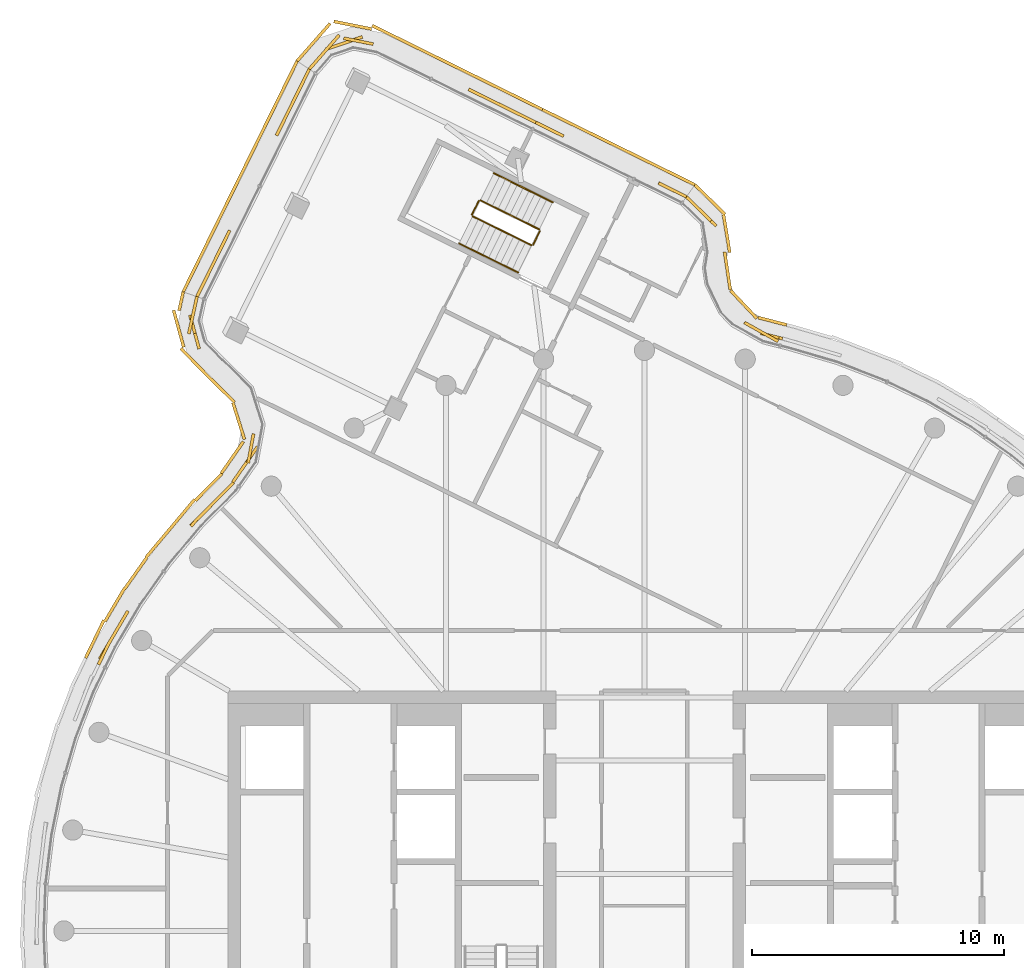
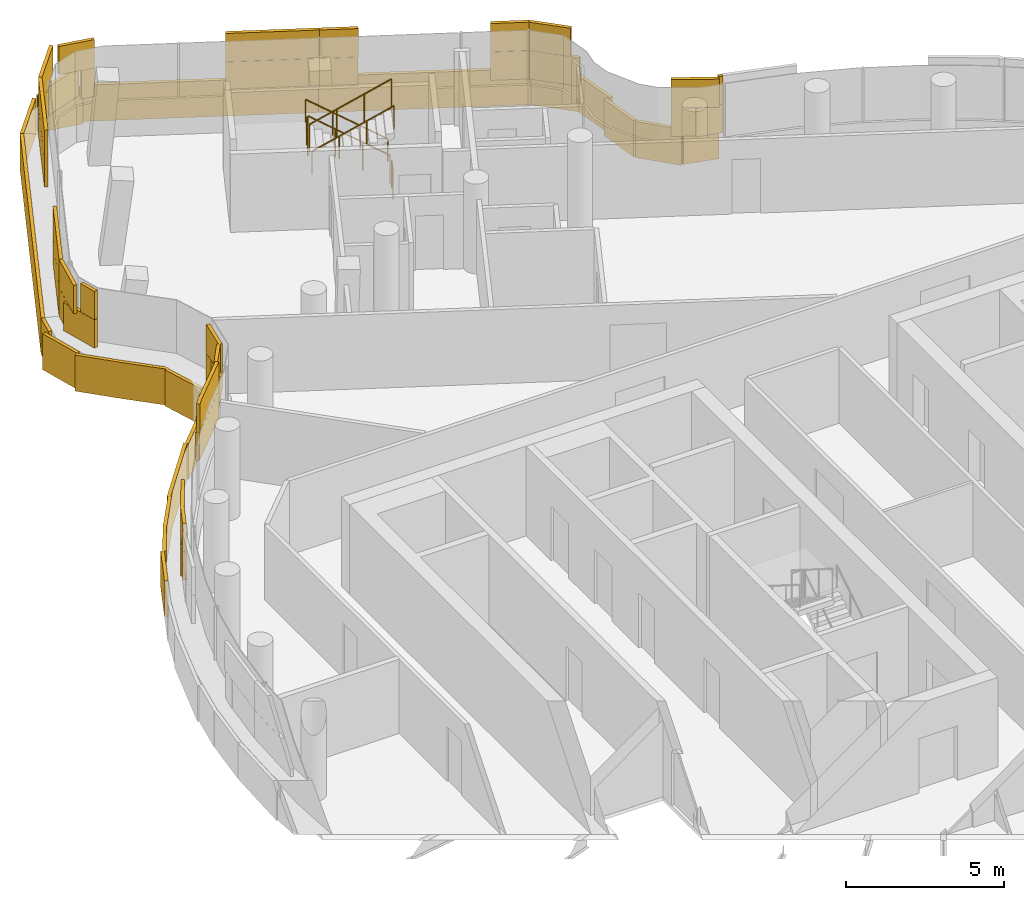
# One storey, part 19 of 21: 6 coverings, 6 railings.
"""IFC4 building model written with IfcOpenShell, lengths in metres."""

import ifcopenshell
import ifcopenshell.guid

model = None  # the IFC model being written
_history = None  # IfcOwnerHistory: only IFC2X3 demands one
_inside = {}  # id of a spatial element -> (the spatial element, [elements in it])
_under = {}  # id of a project, library or spatial element -> (it, [spatial elements below it])
_declared = {}  # id of a project -> (the project, [libraries it declares])
_typed = {}  # id of a type object -> (the type object, [elements of that type])
_made_of = {}  # id of a material, layer set ... -> (it, [elements and type objects made of it])


def new_model(schema):
    """Start an empty IFC model of exactly this schema.

    Asked for "IFC4X3", IfcOpenShell would pick the latest addendum, in which some entities
    have other attributes; the version numbers below select the first issue.
    IFC2X3 requires an IfcOwnerHistory on every rooted entity: one is made here for all.
    """
    global model, _history
    if schema == "IFC4X3":
        model = ifcopenshell.file(schema_version=(4, 3, 0, 0))
    else:
        model = ifcopenshell.file(schema=schema)
    _inside.clear()
    _under.clear()
    _declared.clear()
    _typed.clear()
    _made_of.clear()
    _history = None
    if model.schema == "IFC2X3":
        org = make("IfcOrganization", Name="unknown")
        user = make(
            "IfcPersonAndOrganization",
            ThePerson=make("IfcPerson", FamilyName="unknown"),
            TheOrganization=org,
        )
        app = make(
            "IfcApplication",
            ApplicationDeveloper=org,
            Version="unknown",
            ApplicationFullName="unknown",
            ApplicationIdentifier="unknown",
        )
        _history = make(
            "IfcOwnerHistory",
            OwningUser=user,
            OwningApplication=app,
            ChangeAction="ADDED",
            CreationDate=0,
        )
    return model


def make(cls, **values):
    """One entity of the class cls with the attributes given. An attribute that is None is left unset."""
    return model.create_entity(
        cls, **{name: value for name, value in values.items() if value is not None}
    )


def rooted(cls, **values):
    """An entity with a GlobalId (a new one), such as an element, a storey or a relation."""
    return make(cls, GlobalId=ifcopenshell.guid.new(), OwnerHistory=_history, **values)


def si_unit(unit_type, name, prefix=None):
    """IfcSIUnit, for example si_unit("LENGTHUNIT", "METRE", prefix="MILLI")."""
    return make("IfcSIUnit", UnitType=unit_type, Prefix=prefix, Name=name)


def assignment(units):
    """IfcUnitAssignment: the units of a project."""
    return None if units is None else make("IfcUnitAssignment", Units=units)


def point(xyz):
    """IfcCartesianPoint."""
    return None if xyz is None else make("IfcCartesianPoint", Coordinates=xyz)


def direction(xyz):
    """IfcDirection."""
    return None if xyz is None else make("IfcDirection", DirectionRatios=xyz)


def frame(location, z_axis=None, x_axis=None):
    """IfcAxis2Placement3D, a coordinate frame: its origin and axes. An axis left out is left unset."""
    return make(
        "IfcAxis2Placement3D",
        Location=point(location),
        Axis=direction(z_axis),
        RefDirection=direction(x_axis),
    )


def frame_2d(location, x_axis=None):
    """IfcAxis2Placement2D, a coordinate frame in the plane: its origin and x axis."""
    return make(
        "IfcAxis2Placement2D", Location=point(location), RefDirection=direction(x_axis)
    )


def origin():
    """The frame at (0, 0, 0) with its axes left unset."""
    return frame((0.0, 0.0, 0.0))


def origin_2d():
    """The frame at (0, 0) in the plane with its x axis left unset."""
    return frame_2d((0.0, 0.0))


def place(relative_to, where):
    """IfcLocalPlacement: puts the frame where relative to a parent placement (None: the world)."""
    return make(
        "IfcLocalPlacement", PlacementRelTo=relative_to, RelativePlacement=where
    )


def context(
    kind, dimensions, precision=None, world=None, true_north=None, identifier=None
):
    """IfcGeometricRepresentationContext, for example the 3D "Model" context."""
    return make(
        "IfcGeometricRepresentationContext",
        ContextIdentifier=identifier,
        ContextType=kind,
        CoordinateSpaceDimension=dimensions,
        Precision=precision,
        WorldCoordinateSystem=world,
        TrueNorth=true_north,
    )


def subcontext(parent, identifier, kind, view, scale=None):
    """IfcGeometricRepresentationSubContext, for example "Body" below "Model"."""
    return make(
        "IfcGeometricRepresentationSubContext",
        ContextIdentifier=identifier,
        ContextType=kind,
        ParentContext=parent,
        TargetScale=scale,
        TargetView=view,
    )


def project(units=None, contexts=None):
    """IfcProject with its units and contexts."""
    return rooted(
        "IfcProject",
        Name="project",
        RepresentationContexts=contexts,
        UnitsInContext=assignment(units),
    )


def spatial(cls, under=None, at=None, **own):
    """A site, building, storey or space (cls), placed at a placement, below another one or the project."""
    s = rooted(cls, ObjectPlacement=at, **own)
    if under is not None:
        _under.setdefault(under.id(), (under, []))[1].append(s)
    return s


def profile(cls, at=None, kind="AREA", **sizes):
    """A parametric profile (cls). Its sizes go by their IFC names, for example OverallWidth=200.0."""
    return make(cls, ProfileType=kind, Position=at, **sizes)


def rectangle(**sizes):
    """IfcRectangleProfileDef."""
    return profile("IfcRectangleProfileDef", **sizes)


def circle(**sizes):
    """IfcCircleProfileDef."""
    return profile("IfcCircleProfileDef", **sizes)


def extrude(swept, where, along, depth):
    """IfcExtrudedAreaSolid: the profile swept, set in the frame where, extruded along a direction by depth."""
    return make(
        "IfcExtrudedAreaSolid",
        SweptArea=swept,
        Position=where,
        ExtrudedDirection=direction(along),
        Depth=depth,
    )


def shape(context_of_items, identifier, shape_type, items):
    """IfcShapeRepresentation: the items that make up one representation, for example the "Body"."""
    return make(
        "IfcShapeRepresentation",
        ContextOfItems=context_of_items,
        RepresentationIdentifier=identifier,
        RepresentationType=shape_type,
        Items=items,
    )


def material(Name=None, Category=None):
    """IfcMaterial."""
    return make("IfcMaterial", Name=Name, Category=Category)


def layer(
    of_material, thickness, ventilated=None, Name=None, Category=None, Priority=None
):
    """IfcMaterialLayer: one layer of a wall or slab, of a material (None: an air gap)."""
    return make(
        "IfcMaterialLayer",
        Material=of_material,
        LayerThickness=thickness,
        IsVentilated=ventilated,
        Name=Name,
        Category=Category,
        Priority=Priority,
    )


def layer_set(layers, Name=None):
    """IfcMaterialLayerSet."""
    return make("IfcMaterialLayerSet", MaterialLayers=layers, LayerSetName=Name)


def made_of(thing, what):
    """Note that an element or type object is made of a material, layer set ...; save() writes the relation."""
    if what is not None:
        _made_of.setdefault(what.id(), (what, []))[1].append(thing)
    return thing


def type_object(cls, material=None, **own):
    """A type object (cls), such as IfcWallType, which elements share."""
    return made_of(rooted(cls, **own), material)


def element(
    cls,
    number,
    at=None,
    inside=None,
    cuts=None,
    type_object=None,
    material=None,
    context=None,
    identifier="Body",
    shape_type=None,
    held_by="IfcProductDefinitionShape",
    body=None,
    shapes=None,
    **own,
):
    """One element of the class cls, such as IfcWall. Its Tag is "e" and its number.

    at: its placement. inside: the storey or other place that contains it. cuts: it is an
    opening in that element (IfcRelVoidsElement). A single representation is given by context,
    identifier, shape_type and body (its items); several are given by shapes. held_by: the class
    of the entity that holds the representations. save() writes the other relations.
    """
    e = rooted(cls, Tag="e%d" % number, ObjectPlacement=at, **own)
    if body is not None:
        shapes = [shape(context, identifier, shape_type, body)]
    if shapes is not None:
        e.Representation = make(held_by, Representations=shapes)
    if inside is not None:
        _inside.setdefault(inside.id(), (inside, []))[1].append(e)
    if cuts is not None:
        rooted(
            "IfcRelVoidsElement", RelatingBuildingElement=cuts, RelatedOpeningElement=e
        )
    if type_object is not None:
        _typed.setdefault(type_object.id(), (type_object, []))[1].append(e)
    return made_of(e, material)


def aggregate(whole, parts):
    """IfcRelAggregates: a whole, such as a stair, and the parts it consists of."""
    return rooted("IfcRelAggregates", RelatingObject=whole, RelatedObjects=parts)


def save(model, path):
    """Write the relations noted so far, then the file.

    IfcRelAggregates (storeys below a building ...), IfcRelContainedInSpatialStructure (elements
    in a storey), IfcRelDefinesByType, IfcRelAssociatesMaterial and IfcRelDeclares: one each for
    every whole, place, type object, material and project.
    """
    for whole, parts in _under.values():
        aggregate(whole, parts)
    for where, things in _inside.values():
        rooted(
            "IfcRelContainedInSpatialStructure",
            RelatedElements=things,
            RelatingStructure=where,
        )
    for kind, things in _typed.values():
        rooted("IfcRelDefinesByType", RelatedObjects=things, RelatingType=kind)
    for what, things in _made_of.values():
        rooted("IfcRelAssociatesMaterial", RelatedObjects=things, RelatingMaterial=what)
    for by, libraries in _declared.values():
        rooted("IfcRelDeclares", RelatingContext=by, RelatedDefinitions=libraries)
    model.write(path)


model = new_model("IFC4")

# Units and contexts
model_context = context("Model", 3, precision=1e-05, world=origin(), true_north=direction((0.0, 1.0)))
body_context = subcontext(model_context, "Body", "Model", "MODEL_VIEW")
ifc_project = project(units=[si_unit("LENGTHUNIT", "METRE"), si_unit("AREAUNIT", "SQUARE_METRE"), si_unit("VOLUMEUNIT", "CUBIC_METRE"), si_unit("PLANEANGLEUNIT", "RADIAN"), si_unit("MASSUNIT", "GRAM", prefix="KILO")], contexts=[model_context])

# Site, building, storey
site_placement = place(None, origin())
site = spatial("IfcSite", under=ifc_project, at=site_placement, CompositionType="ELEMENT")
building_placement = place(site_placement, origin())
building = spatial("IfcBuilding", under=site, at=building_placement, Name="Tamarind Cross Interchange Tower", CompositionType="ELEMENT")
storey_placement = place(building_placement, frame((0.0, 0.0, 264.0)))
storey = spatial("IfcBuildingStorey", under=building, at=storey_placement, Name="L67", CompositionType="ELEMENT", Elevation=264.0)

# Railings
ifc_material_1 = material(Name="Stair guard")
railing_type_1 = type_object("IfcRailingType", Name="Stair guard", PredefinedType="GUARDRAIL", material=ifc_material_1)
railing_1_placement = place(storey_placement, frame((-4.1669921875, 27.792236328125, 0.16357421875)))
element("IfcRailing", 1, at=railing_1_placement, inside=storey, type_object=railing_type_1, Name="L67 ST4 stair guard 1", PredefinedType="GUARDRAIL", context=body_context, shape_type="SweptSolid", body=[
    extrude(circle(Radius=0.02392578125, at=origin_2d()), frame((0.0, 0.0, 1.076171875), z_axis=(-0.758928893646, 0.374537369189, 0.532680667446), x_axis=(-0.442550098775, -0.896743781732, 0.0)), (0.0, 0.0, 1.0), 3.072265625),
    extrude(circle(Radius=0.02099609375, at=origin_2d()), origin(), (0.0, 0.0, 1.0), 1.052001953125),
    extrude(circle(Radius=0.02099609375, at=origin_2d()), frame((-0.777099609375, 0.383544921875, 0.54541015625)), (0.0, 0.0, 1.0), 1.052001953125),
    extrude(circle(Radius=0.02099609375, at=origin_2d()), frame((-1.554443359375, 0.76708984375, 1.091064453125)), (0.0, 0.0, 1.0), 1.052001953125),
    extrude(circle(Radius=0.02099609375, at=origin_2d()), frame((-2.33154296875, 1.150634765625, 1.636474609375)), (0.0, 0.0, 1.0), 1.052001953125),
])
railing_2_placement = place(storey_placement, frame((-6.5654296875, 28.920166015625, 1.800048828125)))
element("IfcRailing", 2, at=railing_2_placement, inside=storey, type_object=railing_type_1, Name="L67 ST4 stair guard 2", PredefinedType="GUARDRAIL", context=body_context, shape_type="SweptSolid", body=[
    extrude(circle(Radius=0.02392578125, at=origin_2d()), frame((0.0, 0.0, 1.076171875), z_axis=(-0.442323870564, -0.896855391649, 0.0), x_axis=(0.896855391649, -0.442323870564, 0.0)), (0.0, 0.0, 1.0), 0.599853515625),
    extrude(circle(Radius=0.02099609375, at=origin_2d()), origin(), (0.0, 0.0, 1.0), 1.052001953125),
    extrude(circle(Radius=0.02099609375, at=origin_2d()), frame((-0.265380859375, -0.5380859375, 0.0)), (0.0, 0.0, 1.0), 1.052001953125),
])
railing_3_placement = place(storey_placement, frame((-6.80810546875, 28.315185546875, 1.963623046875)))
element("IfcRailing", 3, at=railing_3_placement, inside=storey, type_object=railing_type_1, Name="L67 ST4 stair guard 3", PredefinedType="GUARDRAIL", context=body_context, shape_type="SweptSolid", body=[
    extrude(circle(Radius=0.02392578125, at=origin_2d()), frame((0.0, 0.0, 1.076171875), z_axis=(0.758928893646, -0.374537369189, 0.532680667446), x_axis=(0.442550098775, 0.896743781732, 0.0)), (0.0, 0.0, 1.0), 3.072265625),
    extrude(circle(Radius=0.02099609375, at=origin_2d()), origin(), (0.0, 0.0, 1.0), 1.052001953125),
    extrude(circle(Radius=0.02099609375, at=origin_2d()), frame((0.777099609375, -0.383544921875, 0.54541015625)), (0.0, 0.0, 1.0), 1.052001953125),
    extrude(circle(Radius=0.02099609375, at=origin_2d()), frame((1.554443359375, -0.76708984375, 1.091064453125)), (0.0, 0.0, 1.0), 1.052001953125),
    extrude(circle(Radius=0.02099609375, at=origin_2d()), frame((2.33154296875, -1.150634765625, 1.636474609375)), (0.0, 0.0, 1.0), 1.052001953125),
])
railing_4_placement = place(storey_placement, frame((-4.144287109375, 27.725341796875, 0.0)))
element("IfcRailing", 4, at=railing_4_placement, inside=storey, type_object=railing_type_1, Name="L67 ST4 stair guard 4", PredefinedType="GUARDRAIL", context=body_context, shape_type="SweptSolid", body=[
    extrude(circle(Radius=0.02392578125, at=origin_2d()), frame((0.0, 0.0, 1.076171875), z_axis=(-0.442323870564, -0.896855391649, 0.0), x_axis=(0.896855391649, -0.442323870564, 0.0)), (0.0, 0.0, 1.0), 0.599853515625),
    extrude(circle(Radius=0.02099609375, at=origin_2d()), origin(), (0.0, 0.0, 1.0), 1.052001953125),
    extrude(circle(Radius=0.02099609375, at=origin_2d()), frame((-0.265380859375, -0.5380859375, 0.0)), (0.0, 0.0, 1.0), 1.052001953125),
])
ifc_material_2 = material(Name="Stair handrail")
railing_type_2 = type_object("IfcRailingType", Name="Stair handrail", PredefinedType="HANDRAIL", material=ifc_material_2)
railing_5_placement = place(storey_placement, frame((-3.6357421875, 28.8681640625, 0.16357421875)))
element("IfcRailing", 5, at=railing_5_placement, inside=storey, type_object=railing_type_2, Name="L67 ST4 stair handrail 1", PredefinedType="HANDRAIL", context=body_context, shape_type="SweptSolid", body=[
    extrude(circle(Radius=0.02392578125, at=origin_2d()), frame((0.0, 0.0, 0.8759765625), z_axis=(-0.758906303417, 0.374605687362, 0.532664811707), x_axis=(-0.442625603595, -0.896706515557, 0.0)), (0.0, 0.0, 1.0), 3.072265625),
    extrude(circle(Radius=0.02099609375, at=origin_2d()), origin(), (0.0, 0.0, 1.0), 0.851806640625),
    extrude(circle(Radius=0.02099609375, at=origin_2d()), frame((-0.777099609375, 0.383544921875, 0.54541015625)), (0.0, 0.0, 1.0), 0.851806640625),
    extrude(circle(Radius=0.02099609375, at=origin_2d()), frame((-1.554443359375, 0.767333984375, 1.091064453125)), (0.0, 0.0, 1.0), 0.851806640625),
    extrude(circle(Radius=0.02099609375, at=origin_2d()), frame((-2.33154296875, 1.15087890625, 1.636474609375)), (0.0, 0.0, 1.0), 0.851806640625),
])
railing_6_placement = place(storey_placement, frame((-7.33935546875, 27.239013671875, 1.963623046875)))
element("IfcRailing", 6, at=railing_6_placement, inside=storey, type_object=railing_type_2, Name="L67 ST4 stair handrail 2", PredefinedType="HANDRAIL", context=body_context, shape_type="SweptSolid", body=[
    extrude(circle(Radius=0.02392578125, at=origin_2d()), frame((0.0, 0.0, 0.8759765625), z_axis=(0.758928893646, -0.374537369189, 0.532680667446), x_axis=(0.442550098775, 0.896743781732, 0.0)), (0.0, 0.0, 1.0), 3.072265625),
    extrude(circle(Radius=0.02099609375, at=origin_2d()), origin(), (0.0, 0.0, 1.0), 0.851806640625),
    extrude(circle(Radius=0.02099609375, at=origin_2d()), frame((0.777099609375, -0.383544921875, 0.54541015625)), (0.0, 0.0, 1.0), 0.851806640625),
    extrude(circle(Radius=0.02099609375, at=origin_2d()), frame((1.554443359375, -0.76708984375, 1.091064453125)), (0.0, 0.0, 1.0), 0.851806640625),
    extrude(circle(Radius=0.02099609375, at=origin_2d()), frame((2.33154296875, -1.150634765625, 1.636474609375)), (0.0, 0.0, 1.0), 0.851806640625),
])

# Coverings
ifc_material_3 = material(Name="Terracotta", Category="masonry")
ifc_layer = layer(ifc_material_3, 0.1201171875)
ifc_layer_set = layer_set([ifc_layer], Name="Terracotta")
covering_type = type_object("IfcCoveringType", Name="Terracotta baguette screen unit", PredefinedType="MOLDING", material=ifc_layer_set)
covering_1_placement = place(storey_placement, origin())
element("IfcCovering", 7, at=covering_1_placement, inside=storey, type_object=covering_type, Name="SCR-L67-00-00", PredefinedType="MOLDING", context=body_context, shape_type="SweptSolid", body=[
    extrude(rectangle(XDim=0.760009765625, YDim=0.1201171875, at=origin_2d()), frame((-13.445556640625, 33.806396484375, 1.40380859375), z_axis=(0.0, 0.0, 1.0), x_axis=(-0.442557908462, -0.896739927548, 0.0)), (0.0, 0.0, 1.0), 1.092041015625),
    extrude(rectangle(XDim=1.52001953125, YDim=0.1201171875, at=origin_2d()), frame((-13.943359375, 32.797607421875, 1.40380859375), z_axis=(0.0, 0.0, 1.0), x_axis=(-0.442557908462, -0.896739927548, 0.0)), (0.0, 0.0, 1.0), 1.092041015625),
    extrude(rectangle(XDim=0.68701171875, YDim=0.1201171875, at=origin_2d()), frame((-14.425048828125, 31.821533203125, 1.40380859375), z_axis=(0.0, 0.0, 1.0), x_axis=(-0.442557908462, -0.896739927548, 0.0)), (0.0, 0.0, 1.0), 1.092041015625),
    extrude(rectangle(XDim=1.133056640625, YDim=0.1201171875, at=origin_2d()), frame((-16.68212890625, 27.248046875, 1.40380859375), z_axis=(0.0, 0.0, 1.0), x_axis=(-0.442557908462, -0.896739927548, 0.0)), (0.0, 0.0, 1.0), 1.092041015625),
    extrude(rectangle(XDim=1.52001953125, YDim=0.1201171875, at=origin_2d()), frame((-17.262451171875, 26.072021484375, 1.40380859375), z_axis=(0.0, 0.0, 1.0), x_axis=(-0.442557908462, -0.896739927548, 0.0)), (0.0, 0.0, 1.0), 1.092041015625),
    extrude(rectangle(XDim=0.31396484375, YDim=0.1201171875, at=origin_2d()), frame((-17.66162109375, 25.26318359375, 1.40380859375), z_axis=(0.0, 0.0, 1.0), x_axis=(-0.442557908462, -0.896739927548, 0.0)), (0.0, 0.0, 1.0), 1.092041015625),
    extrude(rectangle(XDim=1.510009765625, YDim=0.1201171875, at=origin_2d()), frame((-13.611328125, 33.469970703125, 2.50390625), z_axis=(0.0, 0.0, 1.0), x_axis=(-0.442557908462, -0.896739927548, 0.0)), (0.0, 0.0, 1.0), 1.092041015625),
    extrude(rectangle(XDim=1.43701171875, YDim=0.1201171875, at=origin_2d()), frame((-14.259033203125, 32.15771484375, 2.50390625), z_axis=(0.0, 0.0, 1.0), x_axis=(-0.442557908462, -0.896739927548, 0.0)), (0.0, 0.0, 1.0), 1.092041015625),
    extrude(rectangle(XDim=0.383056640625, YDim=0.1201171875, at=origin_2d()), frame((-16.51611328125, 27.58447265625, 2.50390625), z_axis=(0.0, 0.0, 1.0), x_axis=(-0.442557908462, -0.896739927548, 0.0)), (0.0, 0.0, 1.0), 1.092041015625),
    extrude(rectangle(XDim=1.52001953125, YDim=0.1201171875, at=origin_2d()), frame((-16.9306640625, 26.74462890625, 2.50390625), z_axis=(0.0, 0.0, 1.0), x_axis=(-0.442557908462, -0.896739927548, 0.0)), (0.0, 0.0, 1.0), 1.092041015625),
    extrude(rectangle(XDim=1.06396484375, YDim=0.1201171875, at=origin_2d()), frame((-17.49560546875, 25.599365234375, 2.50390625), z_axis=(0.0, 0.0, 1.0), x_axis=(-0.442557908462, -0.896739927548, 0.0)), (0.0, 0.0, 1.0), 1.092041015625),
    extrude(rectangle(XDim=0.760009765625, YDim=0.1201171875, at=origin_2d()), frame((-13.928955078125, 34.123779296875, 0.00390625), z_axis=(0.0, 0.0, 1.0), x_axis=(-0.442557908462, -0.896739927548, 0.0)), (0.0, 0.0, 1.0), 1.39208984375),
    extrude(rectangle(XDim=1.52001953125, YDim=0.1201171875, at=origin_2d()), frame((-14.424560546875, 33.119384765625, 0.00390625), z_axis=(0.0, 0.0, 1.0), x_axis=(-0.442557908462, -0.896739927548, 0.0)), (0.0, 0.0, 1.0), 1.39208984375),
    extrude(rectangle(XDim=1.52001953125, YDim=0.1201171875, at=origin_2d()), frame((-15.08837890625, 31.774169921875, 0.00390625), z_axis=(0.0, 0.0, 1.0), x_axis=(-0.442557908462, -0.896739927548, 0.0)), (0.0, 0.0, 1.0), 1.39208984375),
    extrude(rectangle(XDim=1.52001953125, YDim=0.1201171875, at=origin_2d()), frame((-15.752197265625, 30.42919921875, 0.00390625), z_axis=(0.0, 0.0, 1.0), x_axis=(-0.442557908462, -0.896739927548, 0.0)), (0.0, 0.0, 1.0), 1.39208984375),
    extrude(rectangle(XDim=1.52001953125, YDim=0.1201171875, at=origin_2d()), frame((-16.416015625, 29.083984375, 0.00390625), z_axis=(0.0, 0.0, 1.0), x_axis=(-0.442557908462, -0.896739927548, 0.0)), (0.0, 0.0, 1.0), 1.39208984375),
    extrude(rectangle(XDim=1.52001953125, YDim=0.1201171875, at=origin_2d()), frame((-17.079833984375, 27.73876953125, 0.00390625), z_axis=(0.0, 0.0, 1.0), x_axis=(-0.442557908462, -0.896739927548, 0.0)), (0.0, 0.0, 1.0), 1.39208984375),
    extrude(rectangle(XDim=1.52001953125, YDim=0.1201171875, at=origin_2d()), frame((-17.743896484375, 26.393798828125, 0.00390625), z_axis=(0.0, 0.0, 1.0), x_axis=(-0.442557908462, -0.896739927548, 0.0)), (0.0, 0.0, 1.0), 1.39208984375),
    extrude(rectangle(XDim=0.459228515625, YDim=0.1201171875, at=origin_2d()), frame((-18.1728515625, 25.5244140625, 0.00390625), z_axis=(0.0, 0.0, 1.0), x_axis=(-0.442557908462, -0.896739927548, 0.0)), (0.0, 0.0, 1.0), 1.39208984375),
])
covering_2_placement = place(storey_placement, origin())
element("IfcCovering", 8, at=covering_2_placement, inside=storey, type_object=covering_type, Name="SCR-L67-01-00", PredefinedType="MOLDING", context=body_context, shape_type="SweptSolid", body=[
    extrude(rectangle(XDim=0.760009765625, YDim=0.1201171875, at=origin_2d()), frame((-17.8095703125, 24.7607421875, 1.40380859375), z_axis=(0.0, 0.0, 1.0), x_axis=(-0.215153012881, -0.976580350534, 0.0)), (0.0, 0.0, 1.0), 1.092041015625),
    extrude(rectangle(XDim=1.38623046875, YDim=0.1201171875, at=origin_2d()), frame((-17.823974609375, 23.727783203125, 1.40380859375), z_axis=(0.0, 0.0, 1.0), x_axis=(0.263214530142, -0.964737327526, 0.0)), (0.0, 0.0, 1.0), 1.092041015625),
    extrude(rectangle(XDim=0.433837890625, YDim=0.1201171875, at=origin_2d()), frame((-15.52783203125, 19.48388671875, 1.40380859375), z_axis=(0.0, 0.0, 1.0), x_axis=(-0.178825680563, -0.98388077325, 0.0)), (0.0, 0.0, 1.0), 1.092041015625),
    extrude(rectangle(XDim=1.52001953125, YDim=0.1201171875, at=origin_2d()), frame((-15.7626953125, 18.563720703125, 1.40380859375), z_axis=(0.0, 0.0, 1.0), x_axis=(-0.571568162648, -0.820554590169, 0.0)), (0.0, 0.0, 1.0), 1.092041015625),
    extrude(rectangle(XDim=0.212158203125, YDim=0.1201171875, at=origin_2d()), frame((-16.249267578125, 17.865234375, 1.40380859375), z_axis=(0.0, 0.0, 1.0), x_axis=(-0.571568162648, -0.820554590169, 0.0)), (0.0, 0.0, 1.0), 1.092041015625),
    extrude(rectangle(XDim=1.510009765625, YDim=0.1201171875, at=origin_2d()), frame((-17.890380859375, 24.39453125, 2.50390625), z_axis=(0.0, 0.0, 1.0), x_axis=(-0.215153012881, -0.976580350534, 0.0)), (0.0, 0.0, 1.0), 1.092041015625),
    extrude(rectangle(XDim=0.63623046875, YDim=0.1201171875, at=origin_2d()), frame((-17.725341796875, 23.365966796875, 2.50390625), z_axis=(0.0, 0.0, 1.0), x_axis=(0.263214530142, -0.964737327526, 0.0)), (0.0, 0.0, 1.0), 1.092041015625),
    extrude(rectangle(XDim=1.183837890625, YDim=0.1201171875, at=origin_2d()), frame((-15.5947265625, 19.114990234375, 2.50390625), z_axis=(0.0, 0.0, 1.0), x_axis=(-0.178825680563, -0.98388077325, 0.0)), (0.0, 0.0, 1.0), 1.092041015625),
    extrude(rectangle(XDim=0.962158203125, YDim=0.1201171875, at=origin_2d()), frame((-16.034912109375, 18.1728515625, 2.50390625), z_axis=(0.0, 0.0, 1.0), x_axis=(-0.571568162648, -0.820554590169, 0.0)), (0.0, 0.0, 1.0), 1.092041015625),
    extrude(rectangle(XDim=0.760009765625, YDim=0.1201171875, at=origin_2d()), frame((-18.356201171875, 24.947265625, 0.00390625), z_axis=(0.0, 0.0, 1.0), x_axis=(-0.215153012881, -0.976580350534, 0.0)), (0.0, 0.0, 1.0), 1.39208984375),
    extrude(rectangle(XDim=1.52001953125, YDim=0.1201171875, at=origin_2d()), frame((-18.454345703125, 23.857177734375, 0.00390625), z_axis=(0.0, 0.0, 1.0), x_axis=(0.263214530142, -0.964737327526, 0.0)), (0.0, 0.0, 1.0), 1.39208984375),
    extrude(rectangle(XDim=1.52001953125, YDim=0.1201171875, at=origin_2d()), frame((-17.839111328125, 22.5361328125, 0.00390625), z_axis=(0.0, 0.0, 1.0), x_axis=(0.698468487809, -0.715640811817, 0.0)), (0.0, 0.0, 1.0), 1.39208984375),
    extrude(rectangle(XDim=1.52001953125, YDim=0.1201171875, at=origin_2d()), frame((-16.779052734375, 21.47509765625, 0.00390625), z_axis=(0.0, 0.0, 1.0), x_axis=(0.714643817353, -0.699488537661, 0.0)), (0.0, 0.0, 1.0), 1.39208984375),
    extrude(rectangle(XDim=1.52001953125, YDim=0.1201171875, at=origin_2d()), frame((-16.074951171875, 20.199951171875, 0.00390625), z_axis=(0.0, 0.0, 1.0), x_axis=(0.300271966151, -0.953853629413, 0.0)), (0.0, 0.0, 1.0), 1.39208984375),
    extrude(rectangle(XDim=1.52001953125, YDim=0.1201171875, at=origin_2d()), frame((-16.32421875, 18.76171875, 0.00390625), z_axis=(0.0, 0.0, 1.0), x_axis=(-0.571568162648, -0.820554590169, 0.0)), (0.0, 0.0, 1.0), 1.39208984375),
    extrude(rectangle(XDim=0.03076171875, YDim=0.1201171875, at=origin_2d()), frame((-16.756103515625, 18.141845703125, 0.00390625), z_axis=(0.0, 0.0, 1.0), x_axis=(-0.571568162648, -0.820554590169, 0.0)), (0.0, 0.0, 1.0), 1.39208984375),
])
covering_3_placement = place(storey_placement, origin())
element("IfcCovering", 9, at=covering_3_placement, inside=storey, type_object=covering_type, Name="SCR-L67-01-01", PredefinedType="MOLDING", context=body_context, shape_type="SweptSolid", body=[
    extrude(rectangle(XDim=1.307861328125, YDim=0.1201171875, at=origin_2d()), frame((-16.7373046875, 17.29931640625, 1.40380859375), z_axis=(0.0, 0.0, 1.0), x_axis=(-0.704003144402, -0.710196854874, 0.0)), (0.0, 0.0, 1.0), 1.092041015625),
    extrude(rectangle(XDim=1.123779296875, YDim=0.1201171875, at=origin_2d()), frame((-17.586181640625, 16.443115234375, 1.40380859375), z_axis=(0.0, 0.0, 1.0), x_axis=(-0.704003144402, -0.710196854874, 0.0)), (0.0, 0.0, 1.0), 1.092041015625),
    extrude(rectangle(XDim=0.6962890625, YDim=0.1201171875, at=origin_2d()), frame((-20.641357421875, 12.373779296875, 1.40380859375), z_axis=(0.0, 0.0, 1.0), x_axis=(-0.508183308752, -0.861248933065, 0.0)), (0.0, 0.0, 1.0), 1.092041015625),
    extrude(rectangle(XDim=1.52001953125, YDim=0.1201171875, at=origin_2d()), frame((-21.19677734375, 11.432373046875, 1.40380859375), z_axis=(0.0, 0.0, 1.0), x_axis=(-0.508183308752, -0.861248933065, 0.0)), (0.0, 0.0, 1.0), 1.092041015625),
    extrude(rectangle(XDim=0.235107421875, YDim=0.1201171875, at=origin_2d()), frame((-21.577392578125, 10.658447265625, 1.40380859375), z_axis=(0.0, 0.0, 1.0), x_axis=(-0.435326231914, -0.900272776334, 0.0)), (0.0, 0.0, 1.0), 1.092041015625),
    extrude(rectangle(XDim=0.557861328125, YDim=0.1201171875, at=origin_2d()), frame((-16.47314453125, 17.565673828125, 2.50390625), z_axis=(0.0, 0.0, 1.0), x_axis=(-0.704003144402, -0.710196854874, 0.0)), (0.0, 0.0, 1.0), 1.092041015625),
    extrude(rectangle(XDim=1.52001953125, YDim=0.1201171875, at=origin_2d()), frame((-17.194091796875, 16.838623046875, 2.50390625), z_axis=(0.0, 0.0, 1.0), x_axis=(-0.704003144402, -0.710196854874, 0.0)), (0.0, 0.0, 1.0), 1.092041015625),
    extrude(rectangle(XDim=0.373779296875, YDim=0.1201171875, at=origin_2d()), frame((-17.844970703125, 16.172119140625, 2.50390625), z_axis=(0.0, 0.0, 1.0), x_axis=(-0.643009266048, -0.765858396687, 0.0)), (0.0, 0.0, 1.0), 1.092041015625),
    extrude(rectangle(XDim=1.4462890625, YDim=0.1201171875, at=origin_2d()), frame((-20.831787109375, 12.05078125, 2.50390625), z_axis=(0.0, 0.0, 1.0), x_axis=(-0.508183308752, -0.861248933065, 0.0)), (0.0, 0.0, 1.0), 1.092041015625),
    extrude(rectangle(XDim=0.985107421875, YDim=0.1201171875, at=origin_2d()), frame((-21.4140625, 10.99609375, 2.50390625), z_axis=(0.0, 0.0, 1.0), x_axis=(-0.435326231914, -0.900272776334, 0.0)), (0.0, 0.0, 1.0), 1.092041015625),
    extrude(rectangle(XDim=1.489013671875, YDim=0.1201171875, at=origin_2d()), frame((-17.26611328125, 17.581298828125, 0.00390625), z_axis=(0.0, 0.0, 1.0), x_axis=(-0.704003144402, -0.710196854874, 0.0)), (0.0, 0.0, 1.0), 1.39208984375),
    extrude(rectangle(XDim=1.52001953125, YDim=0.1201171875, at=origin_2d()), frame((-18.302734375, 16.519287109375, 0.00390625), z_axis=(0.0, 0.0, 1.0), x_axis=(-0.643009266048, -0.765858396687, 0.0)), (0.0, 0.0, 1.0), 1.39208984375),
    extrude(rectangle(XDim=1.52001953125, YDim=0.1201171875, at=origin_2d()), frame((-19.267333984375, 15.37060546875, 0.00390625), z_axis=(0.0, 0.0, 1.0), x_axis=(-0.643009266048, -0.765858396687, 0.0)), (0.0, 0.0, 1.0), 1.39208984375),
    extrude(rectangle(XDim=1.52001953125, YDim=0.1201171875, at=origin_2d()), frame((-20.159912109375, 14.166259765625, 0.00390625), z_axis=(0.0, 0.0, 1.0), x_axis=(-0.577568978284, -0.816341886298, 0.0)), (0.0, 0.0, 1.0), 1.39208984375),
    extrude(rectangle(XDim=1.52001953125, YDim=0.1201171875, at=origin_2d()), frame((-20.987548828125, 12.916748046875, 0.00390625), z_axis=(0.0, 0.0, 1.0), x_axis=(-0.508183308752, -0.861248933065, 0.0)), (0.0, 0.0, 1.0), 1.39208984375),
    extrude(rectangle(XDim=1.52001953125, YDim=0.1201171875, at=origin_2d()), frame((-21.748046875, 11.6240234375, 0.00390625), z_axis=(0.0, 0.0, 1.0), x_axis=(-0.435326231914, -0.900272776334, 0.0)), (0.0, 0.0, 1.0), 1.39208984375),
    extrude(rectangle(XDim=0.165283203125, YDim=0.1201171875, at=origin_2d()), frame((-22.106201171875, 10.88330078125, 0.00390625), z_axis=(0.0, 0.0, 1.0), x_axis=(-0.435326231914, -0.900272776334, 0.0)), (0.0, 0.0, 1.0), 1.39208984375),
])
covering_4_placement = place(storey_placement, origin())
element("IfcCovering", 10, at=covering_4_placement, inside=storey, type_object=covering_type, Name="SCR-L67-01-15", PredefinedType="MOLDING", context=body_context, shape_type="SweptSolid", body=[
    extrude(rectangle(XDim=0.888427734375, YDim=0.1201171875, at=origin_2d()), frame((5.038330078125, 23.57177734375, 1.40380859375), z_axis=(0.0, 0.0, 1.0), x_axis=(-0.968905398163, 0.247431464068, 0.0)), (0.0, 0.0, 1.0), 1.092041015625),
    extrude(rectangle(XDim=0.7763671875, YDim=0.1201171875, at=origin_2d()), frame((4.2978515625, 23.915771484375, 1.40380859375), z_axis=(0.0, 0.0, 1.0), x_axis=(-0.872527663757, 0.488564710123, 0.0)), (0.0, 0.0, 1.0), 1.092041015625),
    extrude(rectangle(XDim=1.043701171875, YDim=0.1201171875, at=origin_2d()), frame((2.469482421875, 28.2958984375, 1.40380859375), z_axis=(0.0, 0.0, 1.0), x_axis=(-0.7142753831, 0.69986475629, 0.0)), (0.0, 0.0, 1.0), 1.092041015625),
    extrude(rectangle(XDim=0.621337890625, YDim=0.1201171875, at=origin_2d()), frame((1.882080078125, 28.871337890625, 1.40380859375), z_axis=(0.0, 0.0, 1.0), x_axis=(-0.7142753831, 0.69986475629, 0.0)), (0.0, 0.0, 1.0), 1.092041015625),
    extrude(rectangle(XDim=0.138427734375, YDim=0.1201171875, at=origin_2d()), frame((5.40185546875, 23.47900390625, 2.50390625), z_axis=(0.0, 0.0, 1.0), x_axis=(-0.968905398163, 0.247431464068, 0.0)), (0.0, 0.0, 1.0), 1.092041015625),
    extrude(rectangle(XDim=1.52001953125, YDim=0.1201171875, at=origin_2d()), frame((4.632080078125, 23.728515625, 2.50390625), z_axis=(0.0, 0.0, 1.0), x_axis=(-0.872527663757, 0.488564710123, 0.0)), (0.0, 0.0, 1.0), 1.092041015625),
    extrude(rectangle(XDim=1.371337890625, YDim=0.1201171875, at=origin_2d()), frame((2.14990234375, 28.60888671875, 2.50390625), z_axis=(0.0, 0.0, 1.0), x_axis=(-0.7142753831, 0.69986475629, 0.0)), (0.0, 0.0, 1.0), 1.092041015625),
    extrude(rectangle(XDim=1.16748046875, YDim=0.1201171875, at=origin_2d()), frame((5.072021484375, 24.155517578125, 0.00390625), z_axis=(0.0, 0.0, 1.0), x_axis=(-0.968905398163, 0.247431464068, 0.0)), (0.0, 0.0, 1.0), 1.39208984375),
    extrude(rectangle(XDim=1.52001953125, YDim=0.1201171875, at=origin_2d()), frame((3.93505859375, 24.819091796875, 0.00390625), z_axis=(0.0, 0.0, 1.0), x_axis=(-0.686447225961, 0.727179624282, 0.0)), (0.0, 0.0, 1.0), 1.39208984375),
    extrude(rectangle(XDim=1.52001953125, YDim=0.1201171875, at=origin_2d()), frame((3.290771484375, 26.147216796875, 0.00390625), z_axis=(0.0, 0.0, 1.0), x_axis=(-0.148519944472, 0.988909412481, 0.0)), (0.0, 0.0, 1.0), 1.39208984375),
    extrude(rectangle(XDim=1.52001953125, YDim=0.1201171875, at=origin_2d()), frame((3.25732421875, 27.628662109375, 0.00390625), z_axis=(0.0, 0.0, 1.0), x_axis=(-0.161361594071, 0.986895352081, 0.0)), (0.0, 0.0, 1.0), 1.39208984375),
    extrude(rectangle(XDim=1.52001953125, YDim=0.1201171875, at=origin_2d()), frame((2.652099609375, 28.92041015625, 0.00390625), z_axis=(0.0, 0.0, 1.0), x_axis=(-0.7142753831, 0.69986475629, 0.0)), (0.0, 0.0, 1.0), 1.39208984375),
    extrude(rectangle(XDim=0.173095703125, YDim=0.1201171875, at=origin_2d()), frame((2.061767578125, 29.4990234375, 0.00390625), z_axis=(0.0, 0.0, 1.0), x_axis=(-0.7142753831, 0.69986475629, 0.0)), (0.0, 0.0, 1.0), 1.39208984375),
])
covering_5_placement = place(storey_placement, origin())
element("IfcCovering", 11, at=covering_5_placement, inside=storey, type_object=covering_type, Name="SCR-L67-02-00", PredefinedType="MOLDING", context=body_context, shape_type="SweptSolid", body=[
    extrude(rectangle(XDim=0.760009765625, YDim=0.1201171875, at=origin_2d()), frame((1.327392578125, 29.251220703125, 1.40380859375), z_axis=(0.0, 0.0, 1.0), x_axis=(-0.896739927548, 0.442557908462, 0.0)), (0.0, 0.0, 1.0), 1.092041015625),
    extrude(rectangle(XDim=0.4873046875, YDim=0.1201171875, at=origin_2d()), frame((0.777099609375, 29.52294921875, 1.40380859375), z_axis=(0.0, 0.0, 1.0), x_axis=(-0.896739927548, 0.442557908462, 0.0)), (0.0, 0.0, 1.0), 1.092041015625),
    extrude(rectangle(XDim=1.227294921875, YDim=0.1201171875, at=origin_2d()), frame((-3.75341796875, 31.7587890625, 1.40380859375), z_axis=(0.0, 0.0, 1.0), x_axis=(-0.896739927548, 0.442557908462, 0.0)), (0.0, 0.0, 1.0), 1.092041015625),
    extrude(rectangle(XDim=1.227294921875, YDim=0.1201171875, at=origin_2d()), frame((1.113525390625, 29.35693359375, 2.50390625), z_axis=(0.0, 0.0, 1.0), x_axis=(-0.896739927548, 0.442557908462, 0.0)), (0.0, 0.0, 1.0), 1.092041015625),
    extrude(rectangle(XDim=0.582763671875, YDim=0.1201171875, at=origin_2d()), frame((-3.4599609375, 31.614013671875, 2.50390625), z_axis=(0.0, 0.0, 1.0), x_axis=(-0.896739927548, 0.442557908462, 0.0)), (0.0, 0.0, 1.0), 1.092041015625),
    extrude(rectangle(XDim=0.66455078125, YDim=0.1201171875, at=origin_2d()), frame((-4.01025390625, 31.885498046875, 2.50390625), z_axis=(0.0, 0.0, 1.0), x_axis=(-0.896739927548, 0.442557908462, 0.0)), (0.0, 0.0, 1.0), 1.092041015625),
    extrude(rectangle(XDim=0.760009765625, YDim=0.1201171875, at=origin_2d()), frame((1.6591796875, 29.727783203125, 0.00390625), z_axis=(0.0, 0.0, 1.0), x_axis=(-0.896739927548, 0.442557908462, 0.0)), (0.0, 0.0, 1.0), 1.39208984375),
    extrude(rectangle(XDim=1.52001953125, YDim=0.1201171875, at=origin_2d()), frame((0.65478515625, 30.223388671875, 0.00390625), z_axis=(0.0, 0.0, 1.0), x_axis=(-0.896739927548, 0.442557908462, 0.0)), (0.0, 0.0, 1.0), 1.39208984375),
    extrude(rectangle(XDim=1.52001953125, YDim=0.1201171875, at=origin_2d()), frame((-0.690185546875, 30.88720703125, 0.00390625), z_axis=(0.0, 0.0, 1.0), x_axis=(-0.896739927548, 0.442557908462, 0.0)), (0.0, 0.0, 1.0), 1.39208984375),
    extrude(rectangle(XDim=1.52001953125, YDim=0.1201171875, at=origin_2d()), frame((-2.035400390625, 31.551025390625, 0.00390625), z_axis=(0.0, 0.0, 1.0), x_axis=(-0.896739927548, 0.442557908462, 0.0)), (0.0, 0.0, 1.0), 1.39208984375),
    extrude(rectangle(XDim=1.496826171875, YDim=0.1201171875, at=origin_2d()), frame((-3.3701171875, 32.209716796875, 0.00390625), z_axis=(0.0, 0.0, 1.0), x_axis=(-0.896739927548, 0.442557908462, 0.0)), (0.0, 0.0, 1.0), 1.39208984375),
])
covering_6_placement = place(storey_placement, origin())
element("IfcCovering", 12, at=covering_6_placement, inside=storey, type_object=covering_type, Name="SCR-L67-02-01", PredefinedType="MOLDING", context=body_context, shape_type="SweptSolid", body=[
    extrude(rectangle(XDim=0.105224609375, YDim=0.1201171875, at=origin_2d()), frame((-4.346435546875, 32.051513671875, 1.40380859375), z_axis=(0.0, 0.0, 1.0), x_axis=(-0.896739927548, 0.442557908462, 0.0)), (0.0, 0.0, 1.0), 1.092041015625),
    extrude(rectangle(XDim=1.52001953125, YDim=0.1201171875, at=origin_2d()), frame((-5.061767578125, 32.404541015625, 1.40380859375), z_axis=(0.0, 0.0, 1.0), x_axis=(-0.896739927548, 0.442557908462, 0.0)), (0.0, 0.0, 1.0), 1.092041015625),
    extrude(rectangle(XDim=1.38037109375, YDim=0.1201171875, at=origin_2d()), frame((-6.348876953125, 33.039794921875, 1.40380859375), z_axis=(0.0, 0.0, 1.0), x_axis=(-0.896739927548, 0.442557908462, 0.0)), (0.0, 0.0, 1.0), 1.092041015625),
    extrude(rectangle(XDim=0.439697265625, YDim=0.1201171875, at=origin_2d()), frame((-10.962158203125, 35.17919921875, 1.40380859375), z_axis=(0.0, 0.0, 1.0), x_axis=(-0.980726670753, 0.195384741658, 0.0)), (0.0, 0.0, 1.0), 1.092041015625),
    extrude(rectangle(XDim=1.52001953125, YDim=0.1201171875, at=origin_2d()), frame((-11.89599609375, 35.177490234375, 1.40380859375), z_axis=(0.0, 0.0, 1.0), x_axis=(-0.947026581871, -0.321155185589, 0.0)), (0.0, 0.0, 1.0), 1.092041015625),
    extrude(rectangle(XDim=1.046142578125, YDim=0.1201171875, at=origin_2d()), frame((-12.937744140625, 34.531982421875, 1.40380859375), z_axis=(0.0, 0.0, 1.0), x_axis=(-0.659571485165, -0.751641840212, 0.0)), (0.0, 0.0, 1.0), 1.092041015625),
    extrude(rectangle(XDim=0.855224609375, YDim=0.1201171875, at=origin_2d()), frame((-4.682861328125, 32.217529296875, 2.50390625), z_axis=(0.0, 0.0, 1.0), x_axis=(-0.896739927548, 0.442557908462, 0.0)), (0.0, 0.0, 1.0), 1.092041015625),
    extrude(rectangle(XDim=1.52001953125, YDim=0.1201171875, at=origin_2d()), frame((-5.734375, 32.736328125, 2.50390625), z_axis=(0.0, 0.0, 1.0), x_axis=(-0.896739927548, 0.442557908462, 0.0)), (0.0, 0.0, 1.0), 1.092041015625),
    extrude(rectangle(XDim=0.63037109375, YDim=0.1201171875, at=origin_2d()), frame((-6.68505859375, 33.20556640625, 2.50390625), z_axis=(0.0, 0.0, 1.0), x_axis=(-0.896739927548, 0.442557908462, 0.0)), (0.0, 0.0, 1.0), 1.092041015625),
    extrude(rectangle(XDim=1.189697265625, YDim=0.1201171875, at=origin_2d()), frame((-11.329833984375, 35.252685546875, 2.50390625), z_axis=(0.0, 0.0, 1.0), x_axis=(-0.980726670753, 0.195384741658, 0.0)), (0.0, 0.0, 1.0), 1.092041015625),
    extrude(rectangle(XDim=1.52001953125, YDim=0.1201171875, at=origin_2d()), frame((-12.59619140625, 34.92138671875, 2.50390625), z_axis=(0.0, 0.0, 1.0), x_axis=(-0.659571485165, -0.751641840212, 0.0)), (0.0, 0.0, 1.0), 1.092041015625),
    extrude(rectangle(XDim=0.296142578125, YDim=0.1201171875, at=origin_2d()), frame((-13.18505859375, 34.250244140625, 2.50390625), z_axis=(0.0, 0.0, 1.0), x_axis=(-0.659571485165, -0.751641840212, 0.0)), (0.0, 0.0, 1.0), 1.092041015625),
    extrude(rectangle(XDim=1.52001953125, YDim=0.1201171875, at=origin_2d()), frame((-4.7255859375, 32.878662109375, 0.00390625), z_axis=(0.0, 0.0, 1.0), x_axis=(-0.896739927548, 0.442557908462, 0.0)), (0.0, 0.0, 1.0), 1.39208984375),
    extrude(rectangle(XDim=1.52001953125, YDim=0.1201171875, at=origin_2d()), frame((-6.07080078125, 33.54248046875, 0.00390625), z_axis=(0.0, 0.0, 1.0), x_axis=(-0.896739927548, 0.442557908462, 0.0)), (0.0, 0.0, 1.0), 1.39208984375),
    extrude(rectangle(XDim=1.52001953125, YDim=0.1201171875, at=origin_2d()), frame((-7.415771484375, 34.206298828125, 0.00390625), z_axis=(0.0, 0.0, 1.0), x_axis=(-0.896739927548, 0.442557908462, 0.0)), (0.0, 0.0, 1.0), 1.39208984375),
    extrude(rectangle(XDim=1.52001953125, YDim=0.1201171875, at=origin_2d()), frame((-8.760986328125, 34.8701171875, 0.00390625), z_axis=(0.0, 0.0, 1.0), x_axis=(-0.896739927548, 0.442557908462, 0.0)), (0.0, 0.0, 1.0), 1.39208984375),
    extrude(rectangle(XDim=1.52001953125, YDim=0.1201171875, at=origin_2d()), frame((-10.10595703125, 35.533935546875, 0.00390625), z_axis=(0.0, 0.0, 1.0), x_axis=(-0.896739927548, 0.442557908462, 0.0)), (0.0, 0.0, 1.0), 1.39208984375),
    extrude(rectangle(XDim=1.52001953125, YDim=0.1201171875, at=origin_2d()), frame((-11.55810546875, 35.88330078125, 0.00390625), z_axis=(0.0, 0.0, 1.0), x_axis=(-0.980726670753, 0.195384741658, 0.0)), (0.0, 0.0, 1.0), 1.39208984375),
    extrude(rectangle(XDim=1.52001953125, YDim=0.1201171875, at=origin_2d()), frame((-12.956298828125, 35.38134765625, 0.00390625), z_axis=(0.0, 0.0, 1.0), x_axis=(-0.659571485165, -0.751641840212, 0.0)), (0.0, 0.0, 1.0), 1.39208984375),
    extrude(rectangle(XDim=0.479736328125, YDim=0.1201171875, at=origin_2d()), frame((-13.6025390625, 34.644775390625, 0.00390625), z_axis=(0.0, 0.0, 1.0), x_axis=(-0.659571485165, -0.751641840212, 0.0)), (0.0, 0.0, 1.0), 1.39208984375),
])

save(model, "model.ifc")
